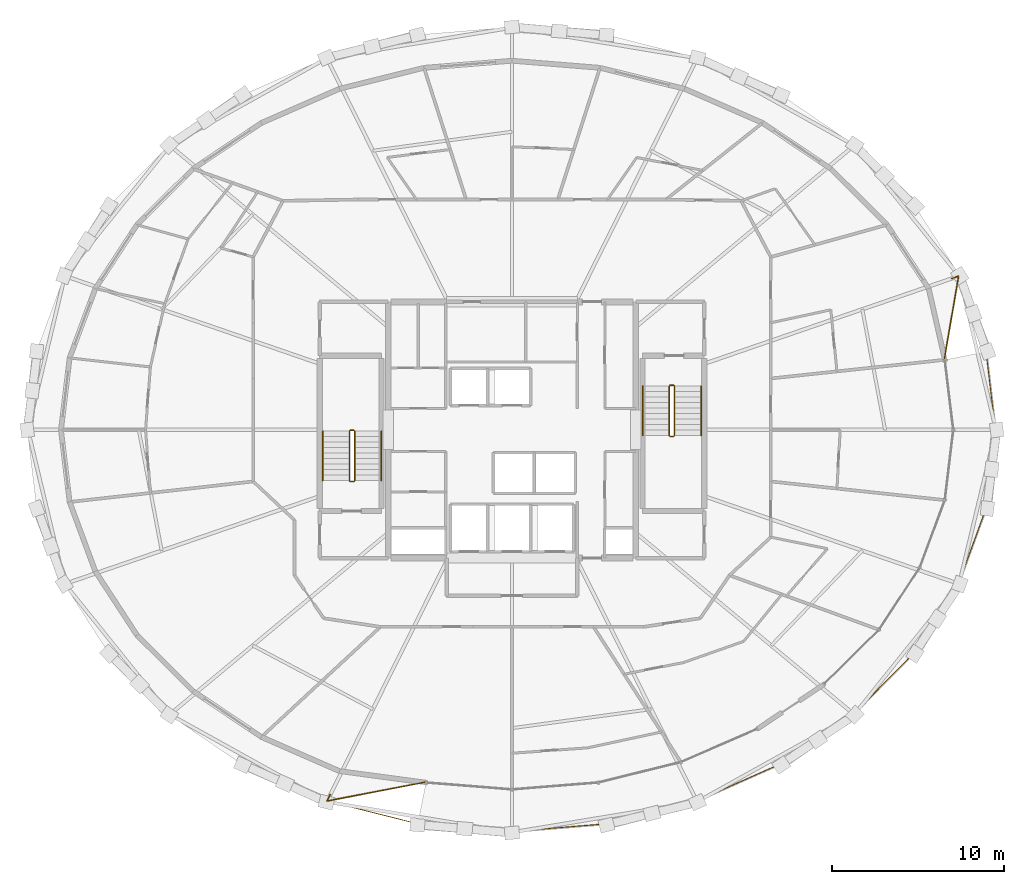
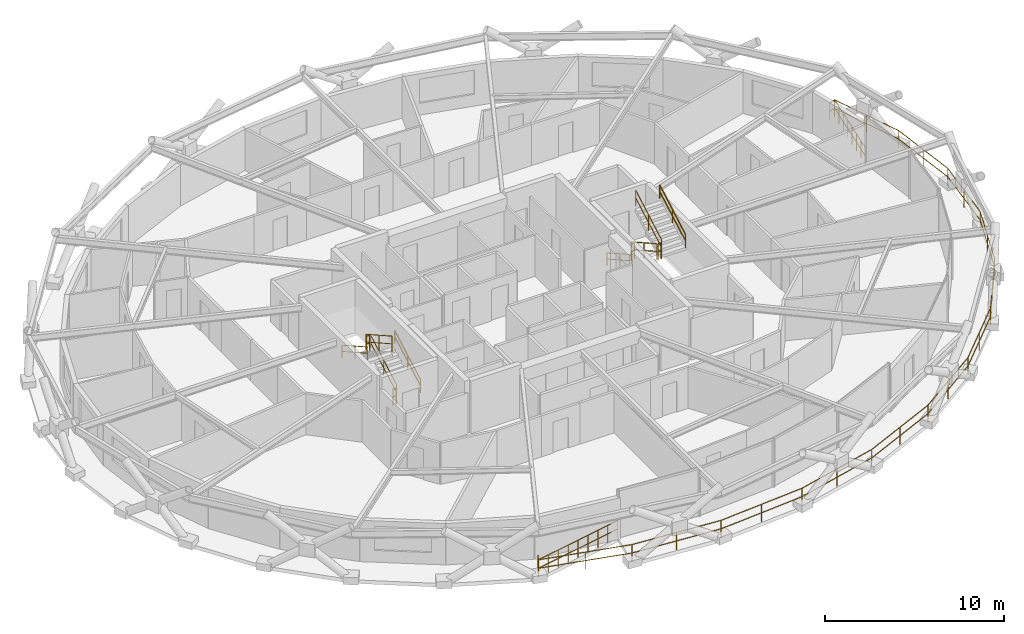
# One storey, part 19 of 19: 15 railings.
"""IFC4 building model written with IfcOpenShell, lengths in metres."""

from ifc_helpers import new_model, si_unit, direction, frame, origin, origin_2d, place, context, subcontext, project, spatial, circle, extrude, material, type_object, element, save


model = new_model("IFC4")

# Units and contexts
model_context = context("Model", 3, precision=1e-05, world=origin(), true_north=direction((0.0, 1.0)))
body_context = subcontext(model_context, "Body", "Model", "MODEL_VIEW")
ifc_project = project(units=[si_unit("LENGTHUNIT", "METRE"), si_unit("AREAUNIT", "SQUARE_METRE"), si_unit("VOLUMEUNIT", "CUBIC_METRE"), si_unit("PLANEANGLEUNIT", "RADIAN"), si_unit("MASSUNIT", "GRAM", prefix="KILO")], contexts=[model_context])

# Site, building, storey
site_placement = place(None, origin())
site = spatial("IfcSite", under=ifc_project, at=site_placement, CompositionType="ELEMENT")
building_placement = place(site_placement, origin())
building = spatial("IfcBuilding", under=site, at=building_placement, Name="Veldorina Hangang Commons", CompositionType="ELEMENT")
storey_placement = place(building_placement, frame((0.0, 0.0, 160.39990234375)))
storey = spatial("IfcBuildingStorey", under=building, at=storey_placement, Name="L41", CompositionType="ELEMENT", Elevation=160.39990234375)

# Railings
ifc_material_1 = material(Name="Glass Laminated Safety Balustrade", Category="glass")
railing_type_1 = type_object("IfcRailingType", Name="RL-BAL-LOGGIA", PredefinedType="BALUSTRADE", material=ifc_material_1)
railing_1_placement = place(storey_placement, frame((21.435546875, 2.799072265625, 0.0)))
element("IfcRailing", 1, at=railing_1_placement, inside=storey, type_object=railing_type_1, Name="L41 sky-garden loggia end balustrade A", PredefinedType="BALUSTRADE", context=body_context, shape_type="SweptSolid", body=[
    extrude(circle(Radius=0.02392578125, at=origin_2d()), frame((0.0, 0.0, 1.17578125), z_axis=(-0.445818053749, -0.895123602052, 0.0), x_axis=(0.895123602052, -0.445818053749, 0.0)), (0.0, 0.0, 1.0), 0.419921875),
    extrude(circle(Radius=0.02392578125, at=origin_2d()), frame((0.0, 0.0, 0.60009765625), z_axis=(-0.445818053749, -0.895123602052, 0.0), x_axis=(0.895123602052, -0.445818053749, 0.0)), (0.0, 0.0, 1.0), 0.419921875),
    extrude(circle(Radius=0.02392578125, at=origin_2d()), frame((-0.187255859375, -0.3759765625, 1.17578125), z_axis=(0.982036751871, 0.188689739984, 0.0), x_axis=(-0.188689739984, 0.982036751871, 0.0)), (0.0, 0.0, 1.0), 5.858642578125),
    extrude(circle(Radius=0.02392578125, at=origin_2d()), frame((-0.187255859375, -0.3759765625, 0.60009765625), z_axis=(0.982036751871, 0.188689739984, 0.0), x_axis=(-0.188689739984, 0.982036751871, 0.0)), (0.0, 0.0, 1.0), 5.858642578125),
    extrude(circle(Radius=0.02099609375, at=origin_2d()), origin(), (0.0, 0.0, 1.0), 1.15185546875),
    extrude(circle(Radius=0.02099609375, at=origin_2d()), frame((-0.187255859375, -0.3759765625, 0.0)), (0.0, 0.0, 1.0), 1.15185546875),
    extrude(circle(Radius=0.02099609375, at=origin_2d()), frame((0.531982421875, -0.23779296875, 0.0)), (0.0, 0.0, 1.0), 1.15185546875),
    extrude(circle(Radius=0.02099609375, at=origin_2d()), frame((1.2509765625, -0.099609375, 0.0)), (0.0, 0.0, 1.0), 1.15185546875),
    extrude(circle(Radius=0.02099609375, at=origin_2d()), frame((1.97021484375, 0.03857421875, 0.0)), (0.0, 0.0, 1.0), 1.15185546875),
    extrude(circle(Radius=0.02099609375, at=origin_2d()), frame((2.689453125, 0.1767578125, 0.0)), (0.0, 0.0, 1.0), 1.15185546875),
    extrude(circle(Radius=0.02099609375, at=origin_2d()), frame((3.40869140625, 0.31494140625, 0.0)), (0.0, 0.0, 1.0), 1.15185546875),
    extrude(circle(Radius=0.02099609375, at=origin_2d()), frame((4.1279296875, 0.453125, 0.0)), (0.0, 0.0, 1.0), 1.15185546875),
    extrude(circle(Radius=0.02099609375, at=origin_2d()), frame((4.846923828125, 0.59130859375, 0.0)), (0.0, 0.0, 1.0), 1.15185546875),
    extrude(circle(Radius=0.02099609375, at=origin_2d()), frame((5.566162109375, 0.7294921875, 0.0)), (0.0, 0.0, 1.0), 1.15185546875),
])
railing_2_placement = place(storey_placement, frame((57.5703125, 32.80419921875, 0.0)))
element("IfcRailing", 2, at=railing_2_placement, inside=storey, type_object=railing_type_1, Name="L41 sky-garden loggia end balustrade B", PredefinedType="BALUSTRADE", context=body_context, shape_type="SweptSolid", body=[
    extrude(circle(Radius=0.02392578125, at=origin_2d()), frame((0.0, 0.0, 1.17578125), z_axis=(0.945379156341, 0.325972776096, 0.0), x_axis=(-0.325972776096, 0.945379156341, 0.0)), (0.0, 0.0, 1.0), 0.420166015625),
    extrude(circle(Radius=0.02392578125, at=origin_2d()), frame((0.0, 0.0, 0.60009765625), z_axis=(0.945379156341, 0.325972776096, 0.0), x_axis=(-0.325972776096, 0.945379156341, 0.0)), (0.0, 0.0, 1.0), 0.420166015625),
    extrude(circle(Radius=0.02392578125, at=origin_2d()), frame((0.397216796875, 0.136962890625, 1.17578125), z_axis=(-0.168390196725, -0.985720417587, 0.0), x_axis=(0.985720417587, -0.168390196725, 0.0)), (0.0, 0.0, 1.0), 4.938232421875),
    extrude(circle(Radius=0.02392578125, at=origin_2d()), frame((0.397216796875, 0.136962890625, 0.60009765625), z_axis=(-0.168390196725, -0.985720417587, 0.0), x_axis=(0.985720417587, -0.168390196725, 0.0)), (0.0, 0.0, 1.0), 4.938232421875),
    extrude(circle(Radius=0.02099609375, at=origin_2d()), origin(), (0.0, 0.0, 1.0), 1.15185546875),
    extrude(circle(Radius=0.02099609375, at=origin_2d()), frame((0.397216796875, 0.136962890625, 0.0)), (0.0, 0.0, 1.0), 1.15185546875),
    extrude(circle(Radius=0.02099609375, at=origin_2d()), frame((0.2783203125, -0.558349609375, 0.0)), (0.0, 0.0, 1.0), 1.15185546875),
    extrude(circle(Radius=0.02099609375, at=origin_2d()), frame((0.15966796875, -1.25390625, 0.0)), (0.0, 0.0, 1.0), 1.15185546875),
    extrude(circle(Radius=0.02099609375, at=origin_2d()), frame((0.040771484375, -1.94921875, 0.0)), (0.0, 0.0, 1.0), 1.15185546875),
    extrude(circle(Radius=0.02099609375, at=origin_2d()), frame((-0.077880859375, -2.64453125, 0.0)), (0.0, 0.0, 1.0), 1.15185546875),
    extrude(circle(Radius=0.02099609375, at=origin_2d()), frame((-0.19677734375, -3.33984375, 0.0)), (0.0, 0.0, 1.0), 1.15185546875),
    extrude(circle(Radius=0.02099609375, at=origin_2d()), frame((-0.3154296875, -4.035400390625, 0.0)), (0.0, 0.0, 1.0), 1.15185546875),
    extrude(circle(Radius=0.02099609375, at=origin_2d()), frame((-0.434326171875, -4.730712890625, 0.0)), (0.0, 0.0, 1.0), 1.15185546875),
])
railing_3_placement = place(storey_placement, frame((21.248291015625, 2.423095703125, 0.0)))
element("IfcRailing", 3, at=railing_3_placement, inside=storey, type_object=railing_type_1, Name="L41 sky-garden loggia outer balustrade", PredefinedType="BALUSTRADE", context=body_context, shape_type="SweptSolid", body=[
    extrude(circle(Radius=0.02392578125, at=origin_2d()), frame((0.0, 0.0, 1.17578125), z_axis=(0.969723614062, -0.24420506205, 0.0), x_axis=(0.24420506205, 0.969723614062, 0.0)), (0.0, 0.0, 1.0), 5.435546875),
    extrude(circle(Radius=0.02392578125, at=origin_2d()), frame((0.0, 0.0, 0.60009765625), z_axis=(0.969723614062, -0.24420506205, 0.0), x_axis=(0.24420506205, 0.969723614062, 0.0)), (0.0, 0.0, 1.0), 5.435546875),
    extrude(circle(Radius=0.02392578125, at=origin_2d()), frame((5.27099609375, -1.327392578125, 1.17578125), z_axis=(0.996675866529, -0.081469117336, 0.0), x_axis=(0.081469117336, 0.996675866529, 0.0)), (0.0, 0.0, 1.0), 5.4990234375),
    extrude(circle(Radius=0.02392578125, at=origin_2d()), frame((5.27099609375, -1.327392578125, 0.60009765625), z_axis=(0.996675866529, -0.081469117336, 0.0), x_axis=(0.081469117336, 0.996675866529, 0.0)), (0.0, 0.0, 1.0), 5.4990234375),
    extrude(circle(Radius=0.02392578125, at=origin_2d()), frame((10.751708984375, -1.775390625, 1.17578125), z_axis=(0.996675866529, 0.081469117336, 0.0), x_axis=(-0.081469117336, 0.996675866529, 0.0)), (0.0, 0.0, 1.0), 5.4990234375),
    extrude(circle(Radius=0.02392578125, at=origin_2d()), frame((10.751708984375, -1.775390625, 0.60009765625), z_axis=(0.996675866529, 0.081469117336, 0.0), x_axis=(-0.081469117336, 0.996675866529, 0.0)), (0.0, 0.0, 1.0), 5.4990234375),
    extrude(circle(Radius=0.02392578125, at=origin_2d()), frame((16.232421875, -1.327392578125, 1.17578125), z_axis=(0.969723614062, 0.24420506205, 0.0), x_axis=(-0.24420506205, 0.969723614062, 0.0)), (0.0, 0.0, 1.0), 5.435546875),
    extrude(circle(Radius=0.02392578125, at=origin_2d()), frame((16.232421875, -1.327392578125, 0.60009765625), z_axis=(0.969723614062, 0.24420506205, 0.0), x_axis=(-0.24420506205, 0.969723614062, 0.0)), (0.0, 0.0, 1.0), 5.435546875),
    extrude(circle(Radius=0.02392578125, at=origin_2d()), frame((21.50341796875, 0.0, 1.17578125), z_axis=(0.914063255153, 0.405571652829, 0.0), x_axis=(-0.405571652829, 0.914063255153, 0.0)), (0.0, 0.0, 1.0), 5.31591796875),
    extrude(circle(Radius=0.02392578125, at=origin_2d()), frame((21.50341796875, 0.0, 0.60009765625), z_axis=(0.914063255153, 0.405571652829, 0.0), x_axis=(-0.405571652829, 0.914063255153, 0.0)), (0.0, 0.0, 1.0), 5.31591796875),
    extrude(circle(Radius=0.02392578125, at=origin_2d()), frame((26.362548828125, 2.156005859375, 1.17578125), z_axis=(0.826397633642, 0.56308698361, 0.0), x_axis=(-0.56308698361, 0.826397633642, 0.0)), (0.0, 0.0, 1.0), 5.1552734375),
    extrude(circle(Radius=0.02392578125, at=origin_2d()), frame((26.362548828125, 2.156005859375, 0.60009765625), z_axis=(0.826397633642, 0.56308698361, 0.0), x_axis=(-0.56308698361, 0.826397633642, 0.0)), (0.0, 0.0, 1.0), 5.1552734375),
    extrude(circle(Radius=0.02392578125, at=origin_2d()), frame((30.622802734375, 5.058837890625, 1.17578125), z_axis=(0.702923263544, 0.71126569267, 0.0), x_axis=(-0.71126569267, 0.702923263544, 0.0)), (0.0, 0.0, 1.0), 4.97509765625),
    extrude(circle(Radius=0.02392578125, at=origin_2d()), frame((30.622802734375, 5.058837890625, 0.60009765625), z_axis=(0.702923263544, 0.71126569267, 0.0), x_axis=(-0.71126569267, 0.702923263544, 0.0)), (0.0, 0.0, 1.0), 4.97509765625),
    extrude(circle(Radius=0.02392578125, at=origin_2d()), frame((34.119873046875, 8.597412109375, 1.17578125), z_axis=(0.541243097306, 0.840866166294, 0.0), x_axis=(-0.840866166294, 0.541243097306, 0.0)), (0.0, 0.0, 1.0), 4.802490234375),
    extrude(circle(Radius=0.02392578125, at=origin_2d()), frame((34.119873046875, 8.597412109375, 0.60009765625), z_axis=(0.541243097306, 0.840866166294, 0.0), x_axis=(-0.840866166294, 0.541243097306, 0.0)), (0.0, 0.0, 1.0), 4.802490234375),
    extrude(circle(Radius=0.02392578125, at=origin_2d()), frame((36.71923828125, 12.6357421875, 1.17578125), z_axis=(0.343082875639, 0.939305137026, 0.0), x_axis=(-0.939305137026, 0.343082875639, 0.0)), (0.0, 0.0, 1.0), 4.666015625),
    extrude(circle(Radius=0.02392578125, at=origin_2d()), frame((36.71923828125, 12.6357421875, 0.60009765625), z_axis=(0.343082875639, 0.939305137026, 0.0), x_axis=(-0.939305137026, 0.343082875639, 0.0)), (0.0, 0.0, 1.0), 4.666015625),
    extrude(circle(Radius=0.02392578125, at=origin_2d()), frame((38.320068359375, 17.0185546875, 1.17578125), z_axis=(0.117754624143, 0.993042722391, 0.0), x_axis=(-0.993042722391, 0.117754624143, 0.0)), (0.0, 0.0, 1.0), 4.59033203125),
    extrude(circle(Radius=0.02392578125, at=origin_2d()), frame((38.320068359375, 17.0185546875, 0.60009765625), z_axis=(0.117754624143, 0.993042722391, 0.0), x_axis=(-0.993042722391, 0.117754624143, 0.0)), (0.0, 0.0, 1.0), 4.59033203125),
    extrude(circle(Radius=0.02392578125, at=origin_2d()), frame((38.860595703125, 21.576904296875, 1.17578125), z_axis=(-0.117754624143, 0.993042722391, 0.0), x_axis=(-0.993042722391, -0.117754624143, 0.0)), (0.0, 0.0, 1.0), 4.59033203125),
    extrude(circle(Radius=0.02392578125, at=origin_2d()), frame((38.860595703125, 21.576904296875, 0.60009765625), z_axis=(-0.117754624143, 0.993042722391, 0.0), x_axis=(-0.993042722391, -0.117754624143, 0.0)), (0.0, 0.0, 1.0), 4.59033203125),
    extrude(circle(Radius=0.02392578125, at=origin_2d()), frame((38.320068359375, 26.13525390625, 1.17578125), z_axis=(-0.343082875639, 0.939305137026, 0.0), x_axis=(-0.939305137026, -0.343082875639, 0.0)), (0.0, 0.0, 1.0), 4.666015625),
    extrude(circle(Radius=0.02392578125, at=origin_2d()), frame((38.320068359375, 26.13525390625, 0.60009765625), z_axis=(-0.343082875639, 0.939305137026, 0.0), x_axis=(-0.939305137026, -0.343082875639, 0.0)), (0.0, 0.0, 1.0), 4.666015625),
    extrude(circle(Radius=0.02099609375, at=origin_2d()), origin(), (0.0, 0.0, 1.0), 1.15185546875),
    extrude(circle(Radius=0.02099609375, at=origin_2d()), frame((2.635498046875, -0.66357421875, 0.0)), (0.0, 0.0, 1.0), 1.15185546875),
    extrude(circle(Radius=0.02099609375, at=origin_2d()), frame((5.27099609375, -1.327392578125, 0.0)), (0.0, 0.0, 1.0), 1.15185546875),
    extrude(circle(Radius=0.02099609375, at=origin_2d()), frame((8.01123046875, -1.55126953125, 0.0)), (0.0, 0.0, 1.0), 1.15185546875),
    extrude(circle(Radius=0.02099609375, at=origin_2d()), frame((10.751708984375, -1.775390625, 0.0)), (0.0, 0.0, 1.0), 1.15185546875),
    extrude(circle(Radius=0.02099609375, at=origin_2d()), frame((13.4921875, -1.55126953125, 0.0)), (0.0, 0.0, 1.0), 1.15185546875),
    extrude(circle(Radius=0.02099609375, at=origin_2d()), frame((16.232421875, -1.327392578125, 0.0)), (0.0, 0.0, 1.0), 1.15185546875),
    extrude(circle(Radius=0.02099609375, at=origin_2d()), frame((18.867919921875, -0.66357421875, 0.0)), (0.0, 0.0, 1.0), 1.15185546875),
    extrude(circle(Radius=0.02099609375, at=origin_2d()), frame((21.50341796875, 0.0, 0.0)), (0.0, 0.0, 1.0), 1.15185546875),
    extrude(circle(Radius=0.02099609375, at=origin_2d()), frame((23.93310546875, 1.078125, 0.0)), (0.0, 0.0, 1.0), 1.15185546875),
    extrude(circle(Radius=0.02099609375, at=origin_2d()), frame((26.362548828125, 2.156005859375, 0.0)), (0.0, 0.0, 1.0), 1.15185546875),
    extrude(circle(Radius=0.02099609375, at=origin_2d()), frame((28.49267578125, 3.607421875, 0.0)), (0.0, 0.0, 1.0), 1.15185546875),
    extrude(circle(Radius=0.02099609375, at=origin_2d()), frame((30.622802734375, 5.058837890625, 0.0)), (0.0, 0.0, 1.0), 1.15185546875),
    extrude(circle(Radius=0.02099609375, at=origin_2d()), frame((32.371337890625, 6.828125, 0.0)), (0.0, 0.0, 1.0), 1.15185546875),
    extrude(circle(Radius=0.02099609375, at=origin_2d()), frame((34.119873046875, 8.597412109375, 0.0)), (0.0, 0.0, 1.0), 1.15185546875),
    extrude(circle(Radius=0.02099609375, at=origin_2d()), frame((35.41943359375, 10.61669921875, 0.0)), (0.0, 0.0, 1.0), 1.15185546875),
    extrude(circle(Radius=0.02099609375, at=origin_2d()), frame((36.71923828125, 12.6357421875, 0.0)), (0.0, 0.0, 1.0), 1.15185546875),
    extrude(circle(Radius=0.02099609375, at=origin_2d()), frame((37.51953125, 14.8271484375, 0.0)), (0.0, 0.0, 1.0), 1.15185546875),
    extrude(circle(Radius=0.02099609375, at=origin_2d()), frame((38.320068359375, 17.0185546875, 0.0)), (0.0, 0.0, 1.0), 1.15185546875),
    extrude(circle(Radius=0.02099609375, at=origin_2d()), frame((38.59033203125, 19.2978515625, 0.0)), (0.0, 0.0, 1.0), 1.15185546875),
    extrude(circle(Radius=0.02099609375, at=origin_2d()), frame((38.860595703125, 21.576904296875, 0.0)), (0.0, 0.0, 1.0), 1.15185546875),
    extrude(circle(Radius=0.02099609375, at=origin_2d()), frame((38.59033203125, 23.85595703125, 0.0)), (0.0, 0.0, 1.0), 1.15185546875),
    extrude(circle(Radius=0.02099609375, at=origin_2d()), frame((38.320068359375, 26.13525390625, 0.0)), (0.0, 0.0, 1.0), 1.15185546875),
    extrude(circle(Radius=0.02099609375, at=origin_2d()), frame((37.51953125, 28.32666015625, 0.0)), (0.0, 0.0, 1.0), 1.15185546875),
    extrude(circle(Radius=0.02099609375, at=origin_2d()), frame((36.71923828125, 30.51806640625, 0.0)), (0.0, 0.0, 1.0), 1.15185546875),
])
ifc_material_2 = material(Name="Steel Painted Balustrade", Category="steel")
railing_type_2 = type_object("IfcRailingType", Name="RL-GRD-STAIR", PredefinedType="GUARDRAIL", material=ifc_material_2)
railing_4_placement = place(storey_placement, frame((22.85009765625, 21.050048828125, 0.18017578125)))
element("IfcRailing", 4, at=railing_4_placement, inside=storey, type_object=railing_type_2, Name="L41 ST-1 stair guard 1", PredefinedType="GUARDRAIL", context=body_context, shape_type="SweptSolid", body=[
    extrude(circle(Radius=0.02392578125, at=origin_2d()), frame((0.0, 0.0, 1.076171875), z_axis=(0.0, 0.871583430097, 0.490247207417), x_axis=(-1.0, 0.0, 0.0)), (0.0, 0.0, 1.0), 3.30419921875),
    extrude(circle(Radius=0.02392578125, at=origin_2d()), frame((0.0, 0.0, 0.550048828125), z_axis=(0.0, 0.871583430097, 0.490247207417), x_axis=(-1.0, 0.0, 0.0)), (0.0, 0.0, 1.0), 3.30419921875),
    extrude(circle(Radius=0.02099609375, at=origin_2d()), origin(), (0.0, 0.0, 1.0), 1.052001953125),
    extrude(circle(Radius=0.02099609375, at=origin_2d()), frame((0.0, 1.43994140625, 0.81005859375)), (0.0, 0.0, 1.0), 1.052001953125),
    extrude(circle(Radius=0.02099609375, at=origin_2d()), frame((0.0, 2.8798828125, 1.619873046875)), (0.0, 0.0, 1.0), 1.052001953125),
])
railing_5_placement = place(storey_placement, frame((22.800048828125, 23.97998046875, 1.800048828125)))
element("IfcRailing", 5, at=railing_5_placement, inside=storey, type_object=railing_type_2, Name="L41 ST-1 stair guard 2", PredefinedType="GUARDRAIL", context=body_context, shape_type="SweptSolid", body=[
    extrude(circle(Radius=0.02392578125, at=origin_2d()), frame((0.0, 0.0, 1.076171875), z_axis=(-1.0, 0.0, 0.0), x_axis=(0.0, -1.0, 0.0)), (0.0, 0.0, 1.0), 0.199951171875),
    extrude(circle(Radius=0.02392578125, at=origin_2d()), frame((0.0, 0.0, 0.550048828125), z_axis=(-1.0, 0.0, 0.0), x_axis=(0.0, -1.0, 0.0)), (0.0, 0.0, 1.0), 0.199951171875),
    extrude(circle(Radius=0.02099609375, at=origin_2d()), origin(), (0.0, 0.0, 1.0), 1.052001953125),
    extrude(circle(Radius=0.02099609375, at=origin_2d()), frame((-0.199951171875, 0.0, 0.0)), (0.0, 0.0, 1.0), 1.052001953125),
])
railing_6_placement = place(storey_placement, frame((22.550048828125, 23.929931640625, 1.97998046875)))
element("IfcRailing", 6, at=railing_6_placement, inside=storey, type_object=railing_type_2, Name="L41 ST-1 stair guard 3", PredefinedType="GUARDRAIL", context=body_context, shape_type="SweptSolid", body=[
    extrude(circle(Radius=0.02392578125, at=origin_2d()), frame((0.0, 0.0, 1.076171875), z_axis=(0.0, -0.87155185771, 0.490303333991), x_axis=(1.0, 0.0, 0.0)), (0.0, 0.0, 1.0), 3.30419921875),
    extrude(circle(Radius=0.02392578125, at=origin_2d()), frame((0.0, 0.0, 0.550048828125), z_axis=(0.0, -0.87155185771, 0.490303333991), x_axis=(1.0, 0.0, 0.0)), (0.0, 0.0, 1.0), 3.30419921875),
    extrude(circle(Radius=0.02099609375, at=origin_2d()), origin(), (0.0, 0.0, 1.0), 1.052001953125),
    extrude(circle(Radius=0.02099609375, at=origin_2d()), frame((0.0, -1.43994140625, 0.81005859375)), (0.0, 0.0, 1.0), 1.052001953125),
    extrude(circle(Radius=0.02099609375, at=origin_2d()), frame((0.0, -2.8798828125, 1.6201171875)), (0.0, 0.0, 1.0), 1.052001953125),
])
railing_7_placement = place(storey_placement, frame((22.800048828125, 21.0, 0.0)))
element("IfcRailing", 7, at=railing_7_placement, inside=storey, type_object=railing_type_2, Name="L41 ST-1 stair guard 4", PredefinedType="GUARDRAIL", context=body_context, shape_type="SweptSolid", body=[
    extrude(circle(Radius=0.02392578125, at=origin_2d()), frame((0.0, 0.0, 1.076171875), z_axis=(-1.0, 0.0, 0.0), x_axis=(0.0, -1.0, 0.0)), (0.0, 0.0, 1.0), 0.199951171875),
    extrude(circle(Radius=0.02392578125, at=origin_2d()), frame((0.0, 0.0, 0.550048828125), z_axis=(-1.0, 0.0, 0.0), x_axis=(0.0, -1.0, 0.0)), (0.0, 0.0, 1.0), 0.199951171875),
    extrude(circle(Radius=0.02099609375, at=origin_2d()), origin(), (0.0, 0.0, 1.0), 1.052001953125),
    extrude(circle(Radius=0.02099609375, at=origin_2d()), frame((-0.199951171875, 0.0, 0.0)), (0.0, 0.0, 1.0), 1.052001953125),
])
railing_8_placement = place(storey_placement, frame((41.14990234375, 26.550048828125, 0.18017578125)))
element("IfcRailing", 8, at=railing_8_placement, inside=storey, type_object=railing_type_2, Name="L41 ST-2 stair guard 1", PredefinedType="GUARDRAIL", context=body_context, shape_type="SweptSolid", body=[
    extrude(circle(Radius=0.02392578125, at=origin_2d()), frame((0.0, 0.0, 1.076171875), z_axis=(0.0, -0.871601186807, 0.490215637405), x_axis=(1.0, 0.0, 0.0)), (0.0, 0.0, 1.0), 3.304443359375),
    extrude(circle(Radius=0.02392578125, at=origin_2d()), frame((0.0, 0.0, 0.550048828125), z_axis=(0.0, -0.871601186807, 0.490215637405), x_axis=(1.0, 0.0, 0.0)), (0.0, 0.0, 1.0), 3.304443359375),
    extrude(circle(Radius=0.02099609375, at=origin_2d()), origin(), (0.0, 0.0, 1.0), 1.052001953125),
    extrude(circle(Radius=0.02099609375, at=origin_2d()), frame((0.0, -1.43994140625, 0.81005859375)), (0.0, 0.0, 1.0), 1.052001953125),
    extrude(circle(Radius=0.02099609375, at=origin_2d()), frame((0.0, -2.880126953125, 1.619873046875)), (0.0, 0.0, 1.0), 1.052001953125),
])
railing_9_placement = place(storey_placement, frame((41.199951171875, 23.6201171875, 1.800048828125)))
element("IfcRailing", 9, at=railing_9_placement, inside=storey, type_object=railing_type_2, Name="L41 ST-2 stair guard 2", PredefinedType="GUARDRAIL", context=body_context, shape_type="SweptSolid", body=[
    extrude(circle(Radius=0.02392578125, at=origin_2d()), frame((0.0, 0.0, 1.076171875), z_axis=(1.0, 0.0, 0.0), x_axis=(0.0, 1.0, 0.0)), (0.0, 0.0, 1.0), 0.199951171875),
    extrude(circle(Radius=0.02392578125, at=origin_2d()), frame((0.0, 0.0, 0.550048828125), z_axis=(1.0, 0.0, 0.0), x_axis=(0.0, 1.0, 0.0)), (0.0, 0.0, 1.0), 0.199951171875),
    extrude(circle(Radius=0.02099609375, at=origin_2d()), origin(), (0.0, 0.0, 1.0), 1.052001953125),
    extrude(circle(Radius=0.02099609375, at=origin_2d()), frame((0.199951171875, 0.0, 0.0)), (0.0, 0.0, 1.0), 1.052001953125),
])
railing_10_placement = place(storey_placement, frame((41.449951171875, 23.669921875, 1.97998046875)))
element("IfcRailing", 10, at=railing_10_placement, inside=storey, type_object=railing_type_2, Name="L41 ST-2 stair guard 3", PredefinedType="GUARDRAIL", context=body_context, shape_type="SweptSolid", body=[
    extrude(circle(Radius=0.02392578125, at=origin_2d()), frame((0.0, 0.0, 1.076171875), z_axis=(0.0, 0.871569617843, 0.490271762652), x_axis=(-1.0, 0.0, 0.0)), (0.0, 0.0, 1.0), 3.304443359375),
    extrude(circle(Radius=0.02392578125, at=origin_2d()), frame((0.0, 0.0, 0.550048828125), z_axis=(0.0, 0.871569617843, 0.490271762652), x_axis=(-1.0, 0.0, 0.0)), (0.0, 0.0, 1.0), 3.304443359375),
    extrude(circle(Radius=0.02099609375, at=origin_2d()), origin(), (0.0, 0.0, 1.0), 1.052001953125),
    extrude(circle(Radius=0.02099609375, at=origin_2d()), frame((0.0, 1.43994140625, 0.81005859375)), (0.0, 0.0, 1.0), 1.052001953125),
    extrude(circle(Radius=0.02099609375, at=origin_2d()), frame((0.0, 2.880126953125, 1.6201171875)), (0.0, 0.0, 1.0), 1.052001953125),
])
railing_11_placement = place(storey_placement, frame((41.199951171875, 26.60009765625, 0.0)))
element("IfcRailing", 11, at=railing_11_placement, inside=storey, type_object=railing_type_2, Name="L41 ST-2 stair guard 4", PredefinedType="GUARDRAIL", context=body_context, shape_type="SweptSolid", body=[
    extrude(circle(Radius=0.02392578125, at=origin_2d()), frame((0.0, 0.0, 1.076171875), z_axis=(1.0, 0.0, 0.0), x_axis=(0.0, 1.0, 0.0)), (0.0, 0.0, 1.0), 0.199951171875),
    extrude(circle(Radius=0.02392578125, at=origin_2d()), frame((0.0, 0.0, 0.550048828125), z_axis=(1.0, 0.0, 0.0), x_axis=(0.0, 1.0, 0.0)), (0.0, 0.0, 1.0), 0.199951171875),
    extrude(circle(Radius=0.02099609375, at=origin_2d()), origin(), (0.0, 0.0, 1.0), 1.052001953125),
    extrude(circle(Radius=0.02099609375, at=origin_2d()), frame((0.199951171875, 0.0, 0.0)), (0.0, 0.0, 1.0), 1.052001953125),
])
ifc_material_3 = material(Name="Stainless Steel Brushed 316", Category="steel")
railing_type_3 = type_object("IfcRailingType", Name="RL-HND-STAIR", PredefinedType="HANDRAIL", material=ifc_material_3)
railing_12_placement = place(storey_placement, frame((24.39990234375, 21.050048828125, 0.18017578125)))
element("IfcRailing", 12, at=railing_12_placement, inside=storey, type_object=railing_type_3, Name="L41 ST-1 stair handrail 1", PredefinedType="HANDRAIL", context=body_context, shape_type="SweptSolid", body=[
    extrude(circle(Radius=0.02392578125, at=origin_2d()), frame((0.0, 0.0, 0.8759765625), z_axis=(0.0, 0.871583430097, 0.490247207417), x_axis=(-1.0, 0.0, 0.0)), (0.0, 0.0, 1.0), 3.30419921875),
    extrude(circle(Radius=0.02392578125, at=origin_2d()), frame((0.0, 0.0, 0.449951171875), z_axis=(0.0, 0.871583430097, 0.490247207417), x_axis=(-1.0, 0.0, 0.0)), (0.0, 0.0, 1.0), 3.30419921875),
    extrude(circle(Radius=0.02099609375, at=origin_2d()), origin(), (0.0, 0.0, 1.0), 0.851806640625),
    extrude(circle(Radius=0.02099609375, at=origin_2d()), frame((0.0, 1.43994140625, 0.81005859375)), (0.0, 0.0, 1.0), 0.851806640625),
    extrude(circle(Radius=0.02099609375, at=origin_2d()), frame((0.0, 2.8798828125, 1.619873046875)), (0.0, 0.0, 1.0), 0.851806640625),
])
railing_13_placement = place(storey_placement, frame((21.0, 23.929931640625, 1.97998046875)))
element("IfcRailing", 13, at=railing_13_placement, inside=storey, type_object=railing_type_3, Name="L41 ST-1 stair handrail 2", PredefinedType="HANDRAIL", context=body_context, shape_type="SweptSolid", body=[
    extrude(circle(Radius=0.02392578125, at=origin_2d()), frame((0.0, 0.0, 0.8759765625), z_axis=(0.0, -0.87155185771, 0.490303333991), x_axis=(1.0, 0.0, 0.0)), (0.0, 0.0, 1.0), 3.30419921875),
    extrude(circle(Radius=0.02392578125, at=origin_2d()), frame((0.0, 0.0, 0.449951171875), z_axis=(0.0, -0.87155185771, 0.490303333991), x_axis=(1.0, 0.0, 0.0)), (0.0, 0.0, 1.0), 3.30419921875),
    extrude(circle(Radius=0.02099609375, at=origin_2d()), origin(), (0.0, 0.0, 1.0), 0.851806640625),
    extrude(circle(Radius=0.02099609375, at=origin_2d()), frame((0.0, -1.43994140625, 0.81005859375)), (0.0, 0.0, 1.0), 0.851806640625),
    extrude(circle(Radius=0.02099609375, at=origin_2d()), frame((0.0, -2.8798828125, 1.6201171875)), (0.0, 0.0, 1.0), 0.851806640625),
])
railing_14_placement = place(storey_placement, frame((39.60009765625, 26.550048828125, 0.18017578125)))
element("IfcRailing", 14, at=railing_14_placement, inside=storey, type_object=railing_type_3, Name="L41 ST-2 stair handrail 1", PredefinedType="HANDRAIL", context=body_context, shape_type="SweptSolid", body=[
    extrude(circle(Radius=0.02392578125, at=origin_2d()), frame((0.0, 0.0, 0.8759765625), z_axis=(0.0, -0.871601186807, 0.490215637405), x_axis=(1.0, 0.0, 0.0)), (0.0, 0.0, 1.0), 3.304443359375),
    extrude(circle(Radius=0.02392578125, at=origin_2d()), frame((0.0, 0.0, 0.449951171875), z_axis=(0.0, -0.871601186807, 0.490215637405), x_axis=(1.0, 0.0, 0.0)), (0.0, 0.0, 1.0), 3.304443359375),
    extrude(circle(Radius=0.02099609375, at=origin_2d()), origin(), (0.0, 0.0, 1.0), 0.851806640625),
    extrude(circle(Radius=0.02099609375, at=origin_2d()), frame((0.0, -1.43994140625, 0.81005859375)), (0.0, 0.0, 1.0), 0.851806640625),
    extrude(circle(Radius=0.02099609375, at=origin_2d()), frame((0.0, -2.880126953125, 1.619873046875)), (0.0, 0.0, 1.0), 0.851806640625),
])
railing_15_placement = place(storey_placement, frame((43.0, 23.669921875, 1.97998046875)))
element("IfcRailing", 15, at=railing_15_placement, inside=storey, type_object=railing_type_3, Name="L41 ST-2 stair handrail 2", PredefinedType="HANDRAIL", context=body_context, shape_type="SweptSolid", body=[
    extrude(circle(Radius=0.02392578125, at=origin_2d()), frame((0.0, 0.0, 0.8759765625), z_axis=(0.0, 0.871569617843, 0.490271762652), x_axis=(-1.0, 0.0, 0.0)), (0.0, 0.0, 1.0), 3.304443359375),
    extrude(circle(Radius=0.02392578125, at=origin_2d()), frame((0.0, 0.0, 0.449951171875), z_axis=(0.0, 0.871569617843, 0.490271762652), x_axis=(-1.0, 0.0, 0.0)), (0.0, 0.0, 1.0), 3.304443359375),
    extrude(circle(Radius=0.02099609375, at=origin_2d()), origin(), (0.0, 0.0, 1.0), 0.851806640625),
    extrude(circle(Radius=0.02099609375, at=origin_2d()), frame((0.0, 1.43994140625, 0.81005859375)), (0.0, 0.0, 1.0), 0.851806640625),
    extrude(circle(Radius=0.02099609375, at=origin_2d()), frame((0.0, 2.880126953125, 1.6201171875)), (0.0, 0.0, 1.0), 0.851806640625),
])

save(model, "model.ifc")
